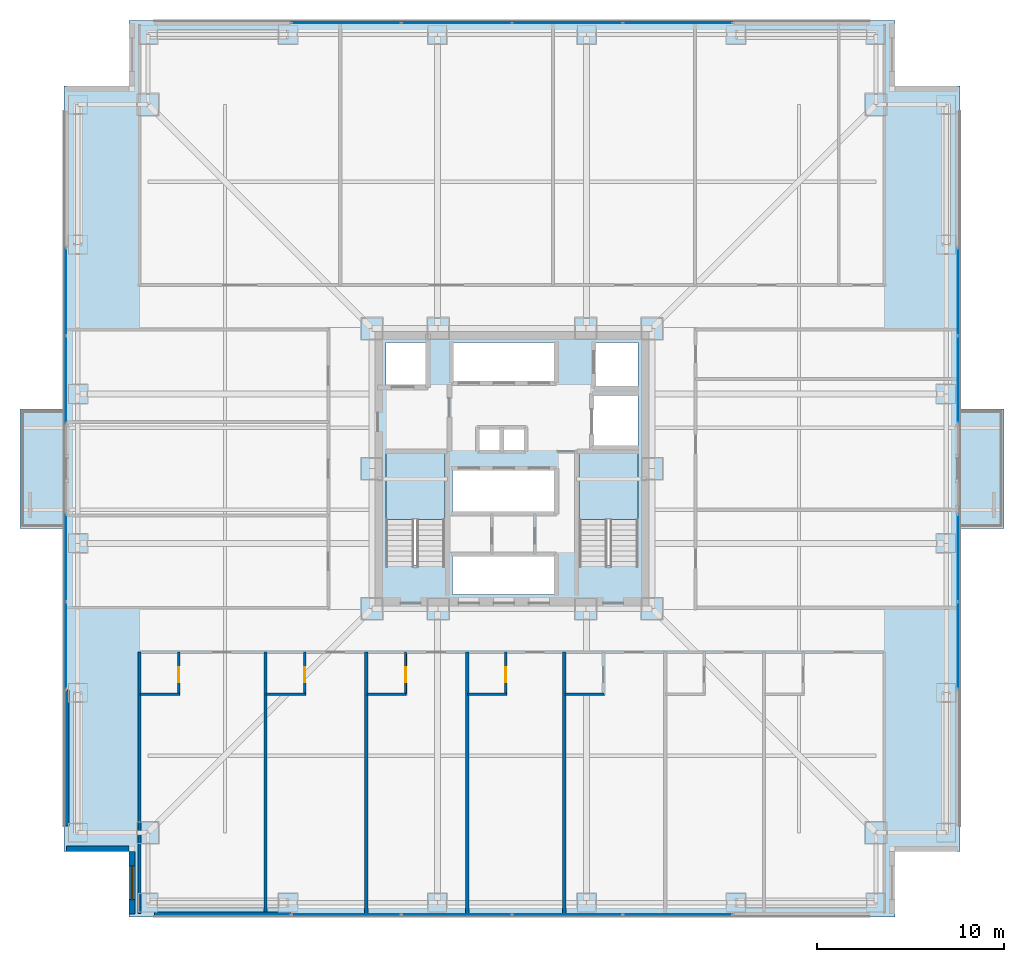
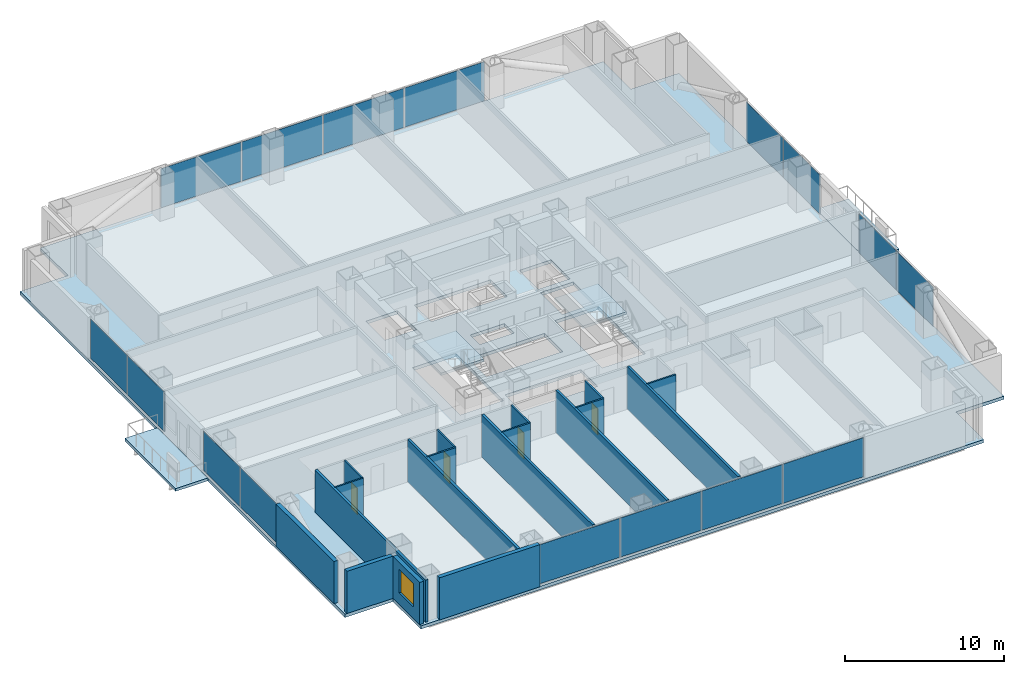
# One storey, part 14 of 20: 18 walls, 16 plates, 5 slabs, 4 doors, 1 window, 5 openings, 8 elements without a shape of their own.
"""IFC4 building model written with IfcOpenShell, lengths in metres."""

import ifcopenshell
import ifcopenshell.guid

model = None  # the IFC model being written
_history = None  # IfcOwnerHistory: only IFC2X3 demands one
_inside = {}  # id of a spatial element -> (the spatial element, [elements in it])
_under = {}  # id of a project, library or spatial element -> (it, [spatial elements below it])
_declared = {}  # id of a project -> (the project, [libraries it declares])
_typed = {}  # id of a type object -> (the type object, [elements of that type])
_made_of = {}  # id of a material, layer set ... -> (it, [elements and type objects made of it])


def new_model(schema):
    """Start an empty IFC model of exactly this schema.

    Asked for "IFC4X3", IfcOpenShell would pick the latest addendum, in which some entities
    have other attributes; the version numbers below select the first issue.
    IFC2X3 requires an IfcOwnerHistory on every rooted entity: one is made here for all.
    """
    global model, _history
    if schema == "IFC4X3":
        model = ifcopenshell.file(schema_version=(4, 3, 0, 0))
    else:
        model = ifcopenshell.file(schema=schema)
    _inside.clear()
    _under.clear()
    _declared.clear()
    _typed.clear()
    _made_of.clear()
    _history = None
    if model.schema == "IFC2X3":
        org = make("IfcOrganization", Name="unknown")
        user = make(
            "IfcPersonAndOrganization",
            ThePerson=make("IfcPerson", FamilyName="unknown"),
            TheOrganization=org,
        )
        app = make(
            "IfcApplication",
            ApplicationDeveloper=org,
            Version="unknown",
            ApplicationFullName="unknown",
            ApplicationIdentifier="unknown",
        )
        _history = make(
            "IfcOwnerHistory",
            OwningUser=user,
            OwningApplication=app,
            ChangeAction="ADDED",
            CreationDate=0,
        )
    return model


def make(cls, **values):
    """One entity of the class cls with the attributes given. An attribute that is None is left unset."""
    return model.create_entity(
        cls, **{name: value for name, value in values.items() if value is not None}
    )


def rooted(cls, **values):
    """An entity with a GlobalId (a new one), such as an element, a storey or a relation."""
    return make(cls, GlobalId=ifcopenshell.guid.new(), OwnerHistory=_history, **values)


def si_unit(unit_type, name, prefix=None):
    """IfcSIUnit, for example si_unit("LENGTHUNIT", "METRE", prefix="MILLI")."""
    return make("IfcSIUnit", UnitType=unit_type, Prefix=prefix, Name=name)


def assignment(units):
    """IfcUnitAssignment: the units of a project."""
    return None if units is None else make("IfcUnitAssignment", Units=units)


def point(xyz):
    """IfcCartesianPoint."""
    return None if xyz is None else make("IfcCartesianPoint", Coordinates=xyz)


def direction(xyz):
    """IfcDirection."""
    return None if xyz is None else make("IfcDirection", DirectionRatios=xyz)


def frame(location, z_axis=None, x_axis=None):
    """IfcAxis2Placement3D, a coordinate frame: its origin and axes. An axis left out is left unset."""
    return make(
        "IfcAxis2Placement3D",
        Location=point(location),
        Axis=direction(z_axis),
        RefDirection=direction(x_axis),
    )


def frame_2d(location, x_axis=None):
    """IfcAxis2Placement2D, a coordinate frame in the plane: its origin and x axis."""
    return make(
        "IfcAxis2Placement2D", Location=point(location), RefDirection=direction(x_axis)
    )


def origin():
    """The frame at (0, 0, 0) with its axes left unset."""
    return frame((0.0, 0.0, 0.0))


def origin_2d():
    """The frame at (0, 0) in the plane with its x axis left unset."""
    return frame_2d((0.0, 0.0))


def place(relative_to, where):
    """IfcLocalPlacement: puts the frame where relative to a parent placement (None: the world)."""
    return make(
        "IfcLocalPlacement", PlacementRelTo=relative_to, RelativePlacement=where
    )


def context(
    kind, dimensions, precision=None, world=None, true_north=None, identifier=None
):
    """IfcGeometricRepresentationContext, for example the 3D "Model" context."""
    return make(
        "IfcGeometricRepresentationContext",
        ContextIdentifier=identifier,
        ContextType=kind,
        CoordinateSpaceDimension=dimensions,
        Precision=precision,
        WorldCoordinateSystem=world,
        TrueNorth=true_north,
    )


def subcontext(parent, identifier, kind, view, scale=None):
    """IfcGeometricRepresentationSubContext, for example "Body" below "Model"."""
    return make(
        "IfcGeometricRepresentationSubContext",
        ContextIdentifier=identifier,
        ContextType=kind,
        ParentContext=parent,
        TargetScale=scale,
        TargetView=view,
    )


def project(units=None, contexts=None):
    """IfcProject with its units and contexts."""
    return rooted(
        "IfcProject",
        Name="project",
        RepresentationContexts=contexts,
        UnitsInContext=assignment(units),
    )


def spatial(cls, under=None, at=None, **own):
    """A site, building, storey or space (cls), placed at a placement, below another one or the project."""
    s = rooted(cls, ObjectPlacement=at, **own)
    if under is not None:
        _under.setdefault(under.id(), (under, []))[1].append(s)
    return s


def polyline(points):
    """IfcPolyline through the points."""
    return make("IfcPolyline", Points=[point(p) for p in points])


def profile(cls, at=None, kind="AREA", **sizes):
    """A parametric profile (cls). Its sizes go by their IFC names, for example OverallWidth=200.0."""
    return make(cls, ProfileType=kind, Position=at, **sizes)


def rectangle(**sizes):
    """IfcRectangleProfileDef."""
    return profile("IfcRectangleProfileDef", **sizes)


def outline(outer, holes=None, kind="AREA"):
    """IfcArbitraryClosedProfileDef: a profile drawn as a closed curve; with holes, ...WithVoids."""
    if holes is None:
        return make("IfcArbitraryClosedProfileDef", ProfileType=kind, OuterCurve=outer)
    return make(
        "IfcArbitraryProfileDefWithVoids",
        ProfileType=kind,
        OuterCurve=outer,
        InnerCurves=holes,
    )


def extrude(swept, where, along, depth):
    """IfcExtrudedAreaSolid: the profile swept, set in the frame where, extruded along a direction by depth."""
    return make(
        "IfcExtrudedAreaSolid",
        SweptArea=swept,
        Position=where,
        ExtrudedDirection=direction(along),
        Depth=depth,
    )


def shape(context_of_items, identifier, shape_type, items):
    """IfcShapeRepresentation: the items that make up one representation, for example the "Body"."""
    return make(
        "IfcShapeRepresentation",
        ContextOfItems=context_of_items,
        RepresentationIdentifier=identifier,
        RepresentationType=shape_type,
        Items=items,
    )


def material(Name=None, Category=None):
    """IfcMaterial."""
    return make("IfcMaterial", Name=Name, Category=Category)


def layer(
    of_material, thickness, ventilated=None, Name=None, Category=None, Priority=None
):
    """IfcMaterialLayer: one layer of a wall or slab, of a material (None: an air gap)."""
    return make(
        "IfcMaterialLayer",
        Material=of_material,
        LayerThickness=thickness,
        IsVentilated=ventilated,
        Name=Name,
        Category=Category,
        Priority=Priority,
    )


def layer_set(layers, Name=None):
    """IfcMaterialLayerSet."""
    return make("IfcMaterialLayerSet", MaterialLayers=layers, LayerSetName=Name)


def made_of(thing, what):
    """Note that an element or type object is made of a material, layer set ...; save() writes the relation."""
    if what is not None:
        _made_of.setdefault(what.id(), (what, []))[1].append(thing)
    return thing


def type_object(cls, material=None, **own):
    """A type object (cls), such as IfcWallType, which elements share."""
    return made_of(rooted(cls, **own), material)


def element(
    cls,
    number,
    at=None,
    inside=None,
    cuts=None,
    type_object=None,
    material=None,
    context=None,
    identifier="Body",
    shape_type=None,
    held_by="IfcProductDefinitionShape",
    body=None,
    shapes=None,
    **own,
):
    """One element of the class cls, such as IfcWall. Its Tag is "e" and its number.

    at: its placement. inside: the storey or other place that contains it. cuts: it is an
    opening in that element (IfcRelVoidsElement). A single representation is given by context,
    identifier, shape_type and body (its items); several are given by shapes. held_by: the class
    of the entity that holds the representations. save() writes the other relations.
    """
    e = rooted(cls, Tag="e%d" % number, ObjectPlacement=at, **own)
    if body is not None:
        shapes = [shape(context, identifier, shape_type, body)]
    if shapes is not None:
        e.Representation = make(held_by, Representations=shapes)
    if inside is not None:
        _inside.setdefault(inside.id(), (inside, []))[1].append(e)
    if cuts is not None:
        rooted(
            "IfcRelVoidsElement", RelatingBuildingElement=cuts, RelatedOpeningElement=e
        )
    if type_object is not None:
        _typed.setdefault(type_object.id(), (type_object, []))[1].append(e)
    return made_of(e, material)


def fill(opening, filler):
    """IfcRelFillsElement: the door or window that sits in an opening."""
    return rooted(
        "IfcRelFillsElement",
        RelatingOpeningElement=opening,
        RelatedBuildingElement=filler,
    )


def aggregate(whole, parts):
    """IfcRelAggregates: a whole, such as a stair, and the parts it consists of."""
    return rooted("IfcRelAggregates", RelatingObject=whole, RelatedObjects=parts)


def save(model, path):
    """Write the relations noted so far, then the file.

    IfcRelAggregates (storeys below a building ...), IfcRelContainedInSpatialStructure (elements
    in a storey), IfcRelDefinesByType, IfcRelAssociatesMaterial and IfcRelDeclares: one each for
    every whole, place, type object, material and project.
    """
    for whole, parts in _under.values():
        aggregate(whole, parts)
    for where, things in _inside.values():
        rooted(
            "IfcRelContainedInSpatialStructure",
            RelatedElements=things,
            RelatingStructure=where,
        )
    for kind, things in _typed.values():
        rooted("IfcRelDefinesByType", RelatedObjects=things, RelatingType=kind)
    for what, things in _made_of.values():
        rooted("IfcRelAssociatesMaterial", RelatedObjects=things, RelatingMaterial=what)
    for by, libraries in _declared.values():
        rooted("IfcRelDeclares", RelatingContext=by, RelatedDefinitions=libraries)
    model.write(path)


model = new_model("IFC4")

# Units and contexts
model_context = context("Model", 3, precision=1e-05, world=origin(), true_north=direction((0.0, 1.0)))
body_context = subcontext(model_context, "Body", "Model", "MODEL_VIEW")
ifc_project = project(units=[si_unit("LENGTHUNIT", "METRE"), si_unit("AREAUNIT", "SQUARE_METRE"), si_unit("VOLUMEUNIT", "CUBIC_METRE"), si_unit("PLANEANGLEUNIT", "RADIAN"), si_unit("MASSUNIT", "GRAM", prefix="KILO")], contexts=[model_context])

# Site, building, storey
site_placement = place(None, origin())
site = spatial("IfcSite", under=ifc_project, at=site_placement, CompositionType="ELEMENT")
building_placement = place(site_placement, origin())
building = spatial("IfcBuilding", under=site, at=building_placement, Name="Trevonay Congress Spire", CompositionType="ELEMENT")
storey_placement = place(building_placement, frame((0.0, 0.0, 76.0)))
storey = spatial("IfcBuildingStorey", under=building, at=storey_placement, Name="L19", CompositionType="ELEMENT", Elevation=76.0)

# Curtain wall, plates
ifc_material_1 = material(Name="Pale Anodised Aluminium EN AW-6063-T6", Category="aluminium")
ifc_layer_1 = layer(ifc_material_1, 0.179931640625, Name="Pale Anodised Aluminium EN AW-6063-T6")
ifc_layer_set_1 = layer_set([ifc_layer_1], Name="Pale Anodised Aluminium EN AW-6063-T6")
curtain_wall_type = type_object("IfcCurtainWallType", Name="CW-SYS02-HOTEL-PALE-METAL", PredefinedType="NOTDEFINED", material=ifc_layer_set_1)
curtain_wall_1_placement = place(storey_placement, origin())
curtain_wall_1 = element("IfcCurtainWall", 1, at=curtain_wall_1_placement, inside=storey, type_object=curtain_wall_type, Name="L19 S unitised curtain wall", PredefinedType="NOTDEFINED")
ifc_material_2 = material(Name="Insulated Low-E Vision Glass IGU", Category="glass")
ifc_layer_2 = layer(ifc_material_2, 0.035888671875, Name="Insulated Low-E Vision Glass IGU")
ifc_layer_set_2 = layer_set([ifc_layer_2], Name="Insulated Low-E Vision Glass IGU")
plate_type = type_object("IfcPlateType", Name="CW-PANEL-IGU36-SILVER", PredefinedType="CURTAIN_PANEL", material=ifc_layer_set_2)
plate_1_placement = place(storey_placement, frame((-8.87255859375, -23.8798828125, 0.1201171875), z_axis=(0.0, 0.0, 1.0), x_axis=(1.0, 0.0, 0.0)))
plate_1 = element("IfcPlate", 2, at=plate_1_placement, type_object=plate_type, Name="CW02 panel 1.1", PredefinedType="CURTAIN_PANEL", context=body_context, shape_type="SweptSolid", body=[
    extrude(rectangle(XDim=5.8349609375, YDim=0.035888671875, at=origin_2d()), origin(), (0.0, 0.0, 1.0), 3.010009765625),
])
plate_2_placement = place(storey_placement, frame((-2.96240234375, -23.8798828125, 0.1201171875), z_axis=(0.0, 0.0, 1.0), x_axis=(1.0, 0.0, 0.0)))
plate_2 = element("IfcPlate", 3, at=plate_2_placement, type_object=plate_type, Name="CW02 panel 2.1", PredefinedType="CURTAIN_PANEL", context=body_context, shape_type="SweptSolid", body=[
    extrude(rectangle(XDim=5.864990234375, YDim=0.035888671875, at=origin_2d()), origin(), (0.0, 0.0, 1.0), 3.010009765625),
])
plate_3_placement = place(storey_placement, frame((2.96240234375, -23.8798828125, 0.1201171875), z_axis=(0.0, 0.0, 1.0), x_axis=(1.0, 0.0, 0.0)))
plate_3 = element("IfcPlate", 4, at=plate_3_placement, type_object=plate_type, Name="CW02 panel 3.1", PredefinedType="CURTAIN_PANEL", context=body_context, shape_type="SweptSolid", body=[
    extrude(rectangle(XDim=5.864990234375, YDim=0.035888671875, at=origin_2d()), origin(), (0.0, 0.0, 1.0), 3.010009765625),
])
plate_4_placement = place(storey_placement, frame((8.87255859375, -23.8798828125, 0.1201171875), z_axis=(0.0, 0.0, 1.0), x_axis=(1.0, 0.0, 0.0)))
plate_4 = element("IfcPlate", 5, at=plate_4_placement, type_object=plate_type, Name="CW02 panel 4.1", PredefinedType="CURTAIN_PANEL", context=body_context, shape_type="SweptSolid", body=[
    extrude(rectangle(XDim=5.8349609375, YDim=0.035888671875, at=origin_2d()), origin(), (0.0, 0.0, 1.0), 3.010009765625),
])
aggregate(curtain_wall_1, [plate_1, plate_2, plate_3, plate_4])

curtain_wall_2_placement = place(storey_placement, origin())
curtain_wall_2 = element("IfcCurtainWall", 6, at=curtain_wall_2_placement, inside=storey, type_object=curtain_wall_type, Name="L19 N unitised curtain wall", PredefinedType="NOTDEFINED")
plate_5_placement = place(storey_placement, frame((-8.87255859375, 23.8798828125, 0.1201171875), z_axis=(0.0, 0.0, 1.0), x_axis=(1.0, 0.0, 0.0)))
plate_5 = element("IfcPlate", 7, at=plate_5_placement, type_object=plate_type, Name="CW02 panel 1.1", PredefinedType="CURTAIN_PANEL", context=body_context, shape_type="SweptSolid", body=[
    extrude(rectangle(XDim=5.8349609375, YDim=0.035888671875, at=origin_2d()), origin(), (0.0, 0.0, 1.0), 3.010009765625),
])
plate_6_placement = place(storey_placement, frame((-2.96240234375, 23.8798828125, 0.1201171875), z_axis=(0.0, 0.0, 1.0), x_axis=(1.0, 0.0, 0.0)))
plate_6 = element("IfcPlate", 8, at=plate_6_placement, type_object=plate_type, Name="CW02 panel 2.1", PredefinedType="CURTAIN_PANEL", context=body_context, shape_type="SweptSolid", body=[
    extrude(rectangle(XDim=5.864990234375, YDim=0.035888671875, at=origin_2d()), origin(), (0.0, 0.0, 1.0), 3.010009765625),
])
plate_7_placement = place(storey_placement, frame((2.96240234375, 23.8798828125, 0.1201171875), z_axis=(0.0, 0.0, 1.0), x_axis=(1.0, 0.0, 0.0)))
plate_7 = element("IfcPlate", 9, at=plate_7_placement, type_object=plate_type, Name="CW02 panel 3.1", PredefinedType="CURTAIN_PANEL", context=body_context, shape_type="SweptSolid", body=[
    extrude(rectangle(XDim=5.864990234375, YDim=0.035888671875, at=origin_2d()), origin(), (0.0, 0.0, 1.0), 3.010009765625),
])
plate_8_placement = place(storey_placement, frame((8.87255859375, 23.8798828125, 0.1201171875), z_axis=(0.0, 0.0, 1.0), x_axis=(1.0, 0.0, 0.0)))
plate_8 = element("IfcPlate", 10, at=plate_8_placement, type_object=plate_type, Name="CW02 panel 4.1", PredefinedType="CURTAIN_PANEL", context=body_context, shape_type="SweptSolid", body=[
    extrude(rectangle(XDim=5.8349609375, YDim=0.035888671875, at=origin_2d()), origin(), (0.0, 0.0, 1.0), 3.010009765625),
])
aggregate(curtain_wall_2, [plate_5, plate_6, plate_7, plate_8])

curtain_wall_3_placement = place(storey_placement, origin())
curtain_wall_3 = element("IfcCurtainWall", 11, at=curtain_wall_3_placement, inside=storey, type_object=curtain_wall_type, Name="L19 WA unitised curtain wall", PredefinedType="NOTDEFINED")
plate_9_placement = place(storey_placement, frame((-23.8798828125, -9.472412109375, 0.1201171875), z_axis=(0.0, 0.0, 1.0), x_axis=(0.0, 1.0, 0.0)))
plate_9 = element("IfcPlate", 12, at=plate_9_placement, type_object=plate_type, Name="CW02 panel 1.1", PredefinedType="CURTAIN_PANEL", context=body_context, shape_type="SweptSolid", body=[
    extrude(rectangle(XDim=4.635009765625, YDim=0.035888671875, at=origin_2d()), origin(), (0.0, 0.0, 1.0), 3.010009765625),
])
plate_10_placement = place(storey_placement, frame((-23.8798828125, -4.777587890625, 0.1201171875), z_axis=(0.0, 0.0, 1.0), x_axis=(0.0, 1.0, 0.0)))
plate_10 = element("IfcPlate", 13, at=plate_10_placement, type_object=plate_type, Name="CW02 panel 2.1", PredefinedType="CURTAIN_PANEL", context=body_context, shape_type="SweptSolid", body=[
    extrude(rectangle(XDim=4.635009765625, YDim=0.035888671875, at=origin_2d()), origin(), (0.0, 0.0, 1.0), 3.010009765625),
])
aggregate(curtain_wall_3, [plate_9, plate_10])

curtain_wall_4_placement = place(storey_placement, origin())
curtain_wall_4 = element("IfcCurtainWall", 14, at=curtain_wall_4_placement, inside=storey, type_object=curtain_wall_type, Name="L19 WB unitised curtain wall", PredefinedType="NOTDEFINED")
plate_11_placement = place(storey_placement, frame((-23.8798828125, 4.777587890625, 0.1201171875), z_axis=(0.0, 0.0, 1.0), x_axis=(0.0, 1.0, 0.0)))
plate_11 = element("IfcPlate", 15, at=plate_11_placement, type_object=plate_type, Name="CW02 panel 1.1", PredefinedType="CURTAIN_PANEL", context=body_context, shape_type="SweptSolid", body=[
    extrude(rectangle(XDim=4.635009765625, YDim=0.035888671875, at=origin_2d()), origin(), (0.0, 0.0, 1.0), 3.010009765625),
])
plate_12_placement = place(storey_placement, frame((-23.8798828125, 9.472412109375, 0.1201171875), z_axis=(0.0, 0.0, 1.0), x_axis=(0.0, 1.0, 0.0)))
plate_12 = element("IfcPlate", 16, at=plate_12_placement, type_object=plate_type, Name="CW02 panel 2.1", PredefinedType="CURTAIN_PANEL", context=body_context, shape_type="SweptSolid", body=[
    extrude(rectangle(XDim=4.635009765625, YDim=0.035888671875, at=origin_2d()), origin(), (0.0, 0.0, 1.0), 3.010009765625),
])
aggregate(curtain_wall_4, [plate_11, plate_12])

curtain_wall_5_placement = place(storey_placement, origin())
curtain_wall_5 = element("IfcCurtainWall", 17, at=curtain_wall_5_placement, inside=storey, type_object=curtain_wall_type, Name="L19 EA unitised curtain wall", PredefinedType="NOTDEFINED")
plate_13_placement = place(storey_placement, frame((23.8798828125, -9.472412109375, 0.1201171875), z_axis=(0.0, 0.0, 1.0), x_axis=(0.0, 1.0, 0.0)))
plate_13 = element("IfcPlate", 18, at=plate_13_placement, type_object=plate_type, Name="CW02 panel 1.1", PredefinedType="CURTAIN_PANEL", context=body_context, shape_type="SweptSolid", body=[
    extrude(rectangle(XDim=4.635009765625, YDim=0.035888671875, at=origin_2d()), origin(), (0.0, 0.0, 1.0), 3.010009765625),
])
plate_14_placement = place(storey_placement, frame((23.8798828125, -4.777587890625, 0.1201171875), z_axis=(0.0, 0.0, 1.0), x_axis=(0.0, 1.0, 0.0)))
plate_14 = element("IfcPlate", 19, at=plate_14_placement, type_object=plate_type, Name="CW02 panel 2.1", PredefinedType="CURTAIN_PANEL", context=body_context, shape_type="SweptSolid", body=[
    extrude(rectangle(XDim=4.635009765625, YDim=0.035888671875, at=origin_2d()), origin(), (0.0, 0.0, 1.0), 3.010009765625),
])
aggregate(curtain_wall_5, [plate_13, plate_14])

curtain_wall_6_placement = place(storey_placement, origin())
curtain_wall_6 = element("IfcCurtainWall", 20, at=curtain_wall_6_placement, inside=storey, type_object=curtain_wall_type, Name="L19 EB unitised curtain wall", PredefinedType="NOTDEFINED")
plate_15_placement = place(storey_placement, frame((23.8798828125, 4.777587890625, 0.1201171875), z_axis=(0.0, 0.0, 1.0), x_axis=(0.0, 1.0, 0.0)))
plate_15 = element("IfcPlate", 21, at=plate_15_placement, type_object=plate_type, Name="CW02 panel 1.1", PredefinedType="CURTAIN_PANEL", context=body_context, shape_type="SweptSolid", body=[
    extrude(rectangle(XDim=4.635009765625, YDim=0.035888671875, at=origin_2d()), origin(), (0.0, 0.0, 1.0), 3.010009765625),
])
plate_16_placement = place(storey_placement, frame((23.8798828125, 9.472412109375, 0.1201171875), z_axis=(0.0, 0.0, 1.0), x_axis=(0.0, 1.0, 0.0)))
plate_16 = element("IfcPlate", 22, at=plate_16_placement, type_object=plate_type, Name="CW02 panel 2.1", PredefinedType="CURTAIN_PANEL", context=body_context, shape_type="SweptSolid", body=[
    extrude(rectangle(XDim=4.635009765625, YDim=0.035888671875, at=origin_2d()), origin(), (0.0, 0.0, 1.0), 3.010009765625),
])
aggregate(curtain_wall_6, [plate_15, plate_16])

# Stair, slab
ifc_material_3 = material(Name="Concrete C40/50", Category="concrete")
stair_type_1 = type_object("IfcStairType", Name="STR-ST-1", PredefinedType="HALF_TURN_STAIR", material=ifc_material_3)
stair_1_placement = place(storey_placement, origin())
stair_1 = element("IfcStair", 23, at=stair_1_placement, inside=storey, type_object=stair_type_1, Name="L19 Protected Exit Stair ST-1", PredefinedType="HALF_TURN_STAIR")
ifc_layer_3 = layer(ifc_material_3, 0.199951171875, Name="Concrete C40/50")
ifc_layer_set_3 = layer_set([ifc_layer_3], Name="Concrete C40/50")
slab_type_1 = type_object("IfcSlabType", Name="SLB-STAIR-LAND-200", PredefinedType="LANDING", material=ifc_layer_set_3)
slab_1_placement = place(storey_placement, frame((0.0, 0.0, 1.550048828125)))
slab_1 = element("IfcSlab", 24, at=slab_1_placement, type_object=slab_type_1, Name="ST-1 landing 1", PredefinedType="LANDING", context=body_context, shape_type="SweptSolid", body=[
    extrude(outline(polyline([(-3.60009765625, -2.72998046875), (-3.60009765625, 0.85009765625), (-6.75, 0.85009765625), (-6.75, -2.72998046875), (-3.60009765625, -2.72998046875)])), origin(), (0.0, 0.0, 1.0), 0.199951171875),
])
aggregate(stair_1, [slab_1])

stair_type_2 = type_object("IfcStairType", Name="STR-ST-2", PredefinedType="HALF_TURN_STAIR", material=ifc_material_3)
stair_2_placement = place(storey_placement, origin())
stair_2 = element("IfcStair", 25, at=stair_2_placement, inside=storey, type_object=stair_type_2, Name="L19 Protected Exit Stair ST-2", PredefinedType="HALF_TURN_STAIR")
slab_2_placement = place(storey_placement, frame((0.0, 0.0, 1.550048828125)))
slab_2 = element("IfcSlab", 26, at=slab_2_placement, type_object=slab_type_1, Name="ST-2 landing 1", PredefinedType="LANDING", context=body_context, shape_type="SweptSolid", body=[
    extrude(outline(polyline([(6.75, -2.72998046875), (6.75, 0.85009765625), (3.60009765625, 0.85009765625), (3.60009765625, -2.72998046875), (6.75, -2.72998046875)])), origin(), (0.0, 0.0, 1.0), 0.199951171875),
])
aggregate(stair_2, [slab_2])

# Slabs
ifc_layer_4 = layer(ifc_material_3, 0.25, Name="Concrete C40/50")
ifc_layer_set_4 = layer_set([ifc_layer_4], Name="Concrete C40/50")
slab_type_2 = type_object("IfcSlabType", Name="SLB-TOW1-250", PredefinedType="FLOOR", material=ifc_layer_set_4)
slab_3_placement = place(storey_placement, frame((0.0, 0.0, -0.25)))
element("IfcSlab", 27, at=slab_3_placement, inside=storey, type_object=slab_type_2, Name="L19 structural floor slab", PredefinedType="FLOOR", context=body_context, shape_type="SweptSolid", body=[
    extrude(outline(polyline([(-20.5, -24.0), (20.5, -24.0), (20.5, -20.5), (24.0, -20.5), (24.0, 20.5), (20.5, 20.5), (20.5, 24.0), (-20.5, 24.0), (-20.5, 20.5), (-24.0, 20.5), (-24.0, -20.5), (-20.5, -20.5), (-20.5, -24.0)]), holes=[polyline([(-3.60009765625, -5.14990234375), (-3.60009765625, 0.85009765625), (-6.75, 0.85009765625), (-6.75, -5.14990234375), (-3.60009765625, -5.14990234375)]), polyline([(6.75, -5.14990234375), (6.75, 0.85009765625), (3.60009765625, 0.85009765625), (3.60009765625, -5.14990234375), (6.75, -5.14990234375)]), polyline([(-3.199951171875, -6.75), (2.340087890625, -6.75), (2.340087890625, -4.64990234375), (-3.199951171875, -4.64990234375), (-3.199951171875, -6.75)]), polyline([(-3.199951171875, -2.35009765625), (2.340087890625, -2.35009765625), (2.340087890625, -0.050048828125), (-3.199951171875, -0.050048828125), (-3.199951171875, -2.35009765625)]), polyline([(-3.199951171875, 4.64990234375), (2.340087890625, 4.64990234375), (2.340087890625, 6.75), (-3.199951171875, 6.75), (-3.199951171875, 4.64990234375)]), polyline([(-6.75, 4.35009765625), (-4.449951171875, 4.35009765625), (-4.449951171875, 6.75), (-6.75, 6.75), (-6.75, 4.35009765625)]), polyline([(4.449951171875, 4.35009765625), (6.75, 4.35009765625), (6.75, 6.75), (4.449951171875, 6.75), (4.449951171875, 4.35009765625)]), polyline([(4.35009765625, 1.199951171875), (6.75, 1.199951171875), (6.75, 3.949951171875), (4.35009765625, 3.949951171875), (4.35009765625, 1.199951171875)]), polyline([(-1.800048828125, 0.949951171875), (0.699951171875, 0.949951171875), (0.699951171875, 2.14990234375), (-1.800048828125, 2.14990234375), (-1.800048828125, 0.949951171875)])]), origin(), (0.0, 0.0, 1.0), 0.25),
])
ifc_layer_5 = layer(ifc_material_3, 0.2099609375, Name="Concrete C40/50")
ifc_layer_set_5 = layer_set([ifc_layer_5], Name="Concrete C40/50")
slab_type_3 = type_object("IfcSlabType", Name="SLB-TREEBAL-210", PredefinedType="FLOOR", material=ifc_layer_set_5)
slab_4_placement = place(storey_placement, frame((0.0, 0.0, -0.2099609375)))
element("IfcSlab", 28, at=slab_4_placement, inside=storey, type_object=slab_type_3, Name="L19 cantilevered tree-planter balcony pod E", PredefinedType="FLOOR", context=body_context, shape_type="SweptSolid", body=[
    extrude(outline(polyline([(24.0, -3.199951171875), (26.35009765625, -3.199951171875), (26.35009765625, 3.199951171875), (24.0, 3.199951171875), (24.0, -3.199951171875)])), origin(), (0.0, 0.0, 1.0), 0.2099609375),
])
slab_5_placement = place(storey_placement, frame((0.0, 0.0, -0.2099609375)))
element("IfcSlab", 29, at=slab_5_placement, inside=storey, type_object=slab_type_3, Name="L19 cantilevered tree-planter balcony pod W", PredefinedType="FLOOR", context=body_context, shape_type="SweptSolid", body=[
    extrude(outline(polyline([(-26.35009765625, -3.199951171875), (-24.0, -3.199951171875), (-24.0, 3.199951171875), (-26.35009765625, 3.199951171875), (-26.35009765625, -3.199951171875)])), origin(), (0.0, 0.0, 1.0), 0.2099609375),
])

# Wall, opening, door
ifc_layer_6 = layer(ifc_material_3, 0.1201171875, Name="Concrete C40/50")
ifc_layer_set_6 = layer_set([ifc_layer_6], Name="Concrete C40/50")
wall_type_1 = type_object("IfcWallType", Name="WAL-BATH-120", PredefinedType="PLUMBINGWALL", material=ifc_layer_set_6)
wall_1_placement = place(storey_placement, frame((-17.85009765625, -12.080078125, 0.0), z_axis=(0.0, 0.0, 1.0), x_axis=(0.0, 1.0, 0.0)))
wall_1 = element("IfcWall", 30, at=wall_1_placement, inside=storey, type_object=wall_type_1, Name="L19 interior wall WH-L19S-BS1", PredefinedType="PLUMBINGWALL", context=body_context, shape_type="SweptSolid", body=[
    extrude(rectangle(XDim=2.25, YDim=0.1201171875, at=frame_2d((1.125, 0.0))), origin(), (0.0, 0.0, 1.0), 3.25),
])
opening_1_placement = place(wall_1_placement, frame((0.64990234375, 0.0, 0.0)))
opening_1 = element("IfcOpeningElement", 31, at=opening_1_placement, cuts=wall_1, Name="Opening D11", PredefinedType="OPENING", context=body_context, shape_type="SweptSolid", body=[
    extrude(rectangle(XDim=0.800048828125, YDim=2.050048828125, at=frame_2d((0.39990234375, 1.02490234375))), frame((0.0, 0.070068359375, 0.0), z_axis=(0.0, -1.0, 0.0), x_axis=(1.0, 0.0, 0.0)), (0.0, 0.0, 1.0), 0.14013671875),
])
door_type = type_object("IfcDoorType", Name="DOR-BATH-80", OperationType="NOTDEFINED", PredefinedType="DOOR", material=ifc_material_1)
door_1_placement = place(opening_1_placement, origin())
door_1 = element("IfcDoor", 32, at=door_1_placement, inside=storey, type_object=door_type, Name="L19 En-suite Bathroom Door", OperationType="SINGLE_SWING_LEFT", OverallHeight=2.050048828125, OverallWidth=0.800048828125, PredefinedType="DOOR", context=body_context, shape_type="SweptSolid", body=[
    extrude(rectangle(XDim=0.800048828125, YDim=2.050048828125, at=frame_2d((0.39990234375, 1.02490234375))), frame((0.0, 0.02490234375, 0.0), z_axis=(0.0, -1.0, 0.0), x_axis=(1.0, 0.0, 0.0)), (0.0, 0.0, 1.0), 0.050048828125),
])
fill(opening_1, door_1)

# Wall
wall_2_placement = place(storey_placement, frame((-19.919921875, -12.080078125, 0.0), z_axis=(0.0, 0.0, 1.0), x_axis=(1.0, 0.0, 0.0)))
element("IfcWall", 33, at=wall_2_placement, inside=storey, type_object=wall_type_1, Name="L19 interior wall WH-L19S-BF1", PredefinedType="PLUMBINGWALL", context=body_context, shape_type="SweptSolid", body=[
    extrude(rectangle(XDim=2.099853515625, YDim=0.1201171875, at=frame_2d((1.0498046875, 0.0))), origin(), (0.0, 0.0, 1.0), 3.25),
])

# Wall, opening, door
wall_3_placement = place(storey_placement, frame((-11.10009765625, -12.080078125, 0.0), z_axis=(0.0, 0.0, 1.0), x_axis=(0.0, 1.0, 0.0)))
wall_3 = element("IfcWall", 34, at=wall_3_placement, inside=storey, type_object=wall_type_1, Name="L19 interior wall WH-L19S-BS2", PredefinedType="PLUMBINGWALL", context=body_context, shape_type="SweptSolid", body=[
    extrude(rectangle(XDim=2.25, YDim=0.1201171875, at=frame_2d((1.125, 0.0))), origin(), (0.0, 0.0, 1.0), 3.25),
])
opening_2_placement = place(wall_3_placement, frame((0.64990234375, 0.0, 0.0)))
opening_2 = element("IfcOpeningElement", 35, at=opening_2_placement, cuts=wall_3, Name="Opening D11", PredefinedType="OPENING", context=body_context, shape_type="SweptSolid", body=[
    extrude(rectangle(XDim=0.800048828125, YDim=2.050048828125, at=frame_2d((0.39990234375, 1.02490234375))), frame((0.0, 0.070068359375, 0.0), z_axis=(0.0, -1.0, 0.0), x_axis=(1.0, 0.0, 0.0)), (0.0, 0.0, 1.0), 0.14013671875),
])
door_2_placement = place(opening_2_placement, origin())
door_2 = element("IfcDoor", 36, at=door_2_placement, inside=storey, type_object=door_type, Name="L19 En-suite Bathroom Door", OperationType="SINGLE_SWING_RIGHT", OverallHeight=2.050048828125, OverallWidth=0.800048828125, PredefinedType="DOOR", context=body_context, shape_type="SweptSolid", body=[
    extrude(rectangle(XDim=0.800048828125, YDim=2.050048828125, at=frame_2d((0.39990234375, 1.02490234375))), frame((0.0, 0.02490234375, 0.0), z_axis=(0.0, -1.0, 0.0), x_axis=(1.0, 0.0, 0.0)), (0.0, 0.0, 1.0), 0.050048828125),
])
fill(opening_2, door_2)

# Wall
wall_4_placement = place(storey_placement, frame((-13.169921875, -12.080078125, 0.0), z_axis=(0.0, 0.0, 1.0), x_axis=(1.0, 0.0, 0.0)))
element("IfcWall", 37, at=wall_4_placement, inside=storey, type_object=wall_type_1, Name="L19 interior wall WH-L19S-BF2", PredefinedType="PLUMBINGWALL", context=body_context, shape_type="SweptSolid", body=[
    extrude(rectangle(XDim=2.099853515625, YDim=0.1201171875, at=frame_2d((1.0498046875, 0.0))), origin(), (0.0, 0.0, 1.0), 3.25),
])

# Wall, opening, door
wall_5_placement = place(storey_placement, frame((-5.699951171875, -12.080078125, 0.0), z_axis=(0.0, 0.0, 1.0), x_axis=(0.0, 1.0, 0.0)))
wall_5 = element("IfcWall", 38, at=wall_5_placement, inside=storey, type_object=wall_type_1, Name="L19 interior wall WH-L19S-BS3", PredefinedType="PLUMBINGWALL", context=body_context, shape_type="SweptSolid", body=[
    extrude(rectangle(XDim=2.25, YDim=0.1201171875, at=frame_2d((1.125, 0.0))), origin(), (0.0, 0.0, 1.0), 3.25),
])
opening_3_placement = place(wall_5_placement, frame((0.64990234375, 0.0, 0.0)))
opening_3 = element("IfcOpeningElement", 39, at=opening_3_placement, cuts=wall_5, Name="Opening D11", PredefinedType="OPENING", context=body_context, shape_type="SweptSolid", body=[
    extrude(rectangle(XDim=0.800048828125, YDim=2.050048828125, at=frame_2d((0.39990234375, 1.02490234375))), frame((0.0, 0.070068359375, 0.0), z_axis=(0.0, -1.0, 0.0), x_axis=(1.0, 0.0, 0.0)), (0.0, 0.0, 1.0), 0.14013671875),
])
door_3_placement = place(opening_3_placement, origin())
door_3 = element("IfcDoor", 40, at=door_3_placement, inside=storey, type_object=door_type, Name="L19 En-suite Bathroom Door", OperationType="SINGLE_SWING_LEFT", OverallHeight=2.050048828125, OverallWidth=0.800048828125, PredefinedType="DOOR", context=body_context, shape_type="SweptSolid", body=[
    extrude(rectangle(XDim=0.800048828125, YDim=2.050048828125, at=frame_2d((0.39990234375, 1.02490234375))), frame((0.0, 0.02490234375, 0.0), z_axis=(0.0, -1.0, 0.0), x_axis=(1.0, 0.0, 0.0)), (0.0, 0.0, 1.0), 0.050048828125),
])
fill(opening_3, door_3)

# Wall
wall_6_placement = place(storey_placement, frame((-7.77001953125, -12.080078125, 0.0), z_axis=(0.0, 0.0, 1.0), x_axis=(1.0, 0.0, 0.0)))
element("IfcWall", 41, at=wall_6_placement, inside=storey, type_object=wall_type_1, Name="L19 interior wall WH-L19S-BF3", PredefinedType="PLUMBINGWALL", context=body_context, shape_type="SweptSolid", body=[
    extrude(rectangle(XDim=2.10009765625, YDim=0.1201171875, at=frame_2d((1.050048828125, 0.0))), origin(), (0.0, 0.0, 1.0), 3.25),
])

# Wall, opening, door
wall_7_placement = place(storey_placement, frame((-0.3349609375, -12.080078125, 0.0), z_axis=(0.0, 0.0, 1.0), x_axis=(0.0, 1.0, 0.0)))
wall_7 = element("IfcWall", 42, at=wall_7_placement, inside=storey, type_object=wall_type_1, Name="L19 interior wall WH-L19S-BS4", PredefinedType="PLUMBINGWALL", context=body_context, shape_type="SweptSolid", body=[
    extrude(rectangle(XDim=2.25, YDim=0.1201171875, at=frame_2d((1.125, 0.0))), origin(), (0.0, 0.0, 1.0), 3.25),
])
opening_4_placement = place(wall_7_placement, frame((0.64990234375, 0.0, 0.0)))
opening_4 = element("IfcOpeningElement", 43, at=opening_4_placement, cuts=wall_7, Name="Opening D11", PredefinedType="OPENING", context=body_context, shape_type="SweptSolid", body=[
    extrude(rectangle(XDim=0.800048828125, YDim=2.050048828125, at=frame_2d((0.39990234375, 1.02490234375))), frame((0.0, 0.070068359375, 0.0), z_axis=(0.0, -1.0, 0.0), x_axis=(1.0, 0.0, 0.0)), (0.0, 0.0, 1.0), 0.14013671875),
])
door_4_placement = place(opening_4_placement, origin())
door_4 = element("IfcDoor", 44, at=door_4_placement, inside=storey, type_object=door_type, Name="L19 En-suite Bathroom Door", OperationType="SINGLE_SWING_RIGHT", OverallHeight=2.050048828125, OverallWidth=0.800048828125, PredefinedType="DOOR", context=body_context, shape_type="SweptSolid", body=[
    extrude(rectangle(XDim=0.800048828125, YDim=2.050048828125, at=frame_2d((0.39990234375, 1.02490234375))), frame((0.0, 0.02490234375, 0.0), z_axis=(0.0, -1.0, 0.0), x_axis=(1.0, 0.0, 0.0)), (0.0, 0.0, 1.0), 0.050048828125),
])
fill(opening_4, door_4)

# Walls
wall_8_placement = place(storey_placement, frame((-2.3701171875, -12.080078125, 0.0), z_axis=(0.0, 0.0, 1.0), x_axis=(1.0, 0.0, 0.0)))
element("IfcWall", 45, at=wall_8_placement, inside=storey, type_object=wall_type_1, Name="L19 interior wall WH-L19S-BF4", PredefinedType="PLUMBINGWALL", context=body_context, shape_type="SweptSolid", body=[
    extrude(rectangle(XDim=2.065185546875, YDim=0.1201171875, at=frame_2d((1.03271484375, 0.0))), origin(), (0.0, 0.0, 1.0), 3.25),
])
wall_9_placement = place(storey_placement, frame((2.830078125, -12.080078125, 0.0), z_axis=(0.0, 0.0, 1.0), x_axis=(1.0, 0.0, 0.0)))
element("IfcWall", 46, at=wall_9_placement, inside=storey, type_object=wall_type_1, Name="L19 interior wall WH-L19S-BF5", PredefinedType="PLUMBINGWALL", context=body_context, shape_type="SweptSolid", body=[
    extrude(rectangle(XDim=2.099853515625, YDim=0.1201171875, at=frame_2d((1.0498046875, 0.0))), origin(), (0.0, 0.0, 1.0), 3.25),
])
ifc_material_4 = material(Name="Precast concrete C40/50", Category="concrete")
ifc_layer_7 = layer(ifc_material_4, 0.300048828125, Name="Precast concrete C40/50")
ifc_layer_set_7 = layer_set([ifc_layer_7], Name="Precast concrete C40/50")
wall_type_2 = type_object("IfcWallType", Name="WAL-EXT-PRECAST-300", PredefinedType="SOLIDWALL", material=ifc_layer_set_7)
for number, where, z_axis, x_axis, name in (
    (47, (-19.14990234375, -23.8798828125, 0.0), (0.0, 0.0, 1.0), (1.0, 0.0, 0.0), "L19 SL braced-bay exterior pier wall"),
    (48, (-23.8798828125, -19.14990234375, 0.0), (0.0, 0.0, 1.0), (0.0, 1.0, 0.0), "L19 WL braced-bay exterior pier wall"),
):
    element("IfcWall", number, at=place(storey_placement, frame(where, z_axis=z_axis, x_axis=x_axis)), inside=storey, type_object=wall_type_2, Name=name, PredefinedType="SOLIDWALL", context=body_context, shape_type="SweptSolid", body=[
        extrude(rectangle(XDim=7.2998046875, YDim=0.300048828125, at=frame_2d((3.64990234375, 0.0))), origin(), (0.0, 0.0, 1.0), 3.25),
    ])

# Wall, opening, window
wall_10_placement = place(storey_placement, frame((-20.35009765625, -23.85009765625, 0.0), z_axis=(0.0, 0.0, 1.0), x_axis=(0.0, 1.0, 0.0)))
wall_10 = element("IfcWall", 49, at=wall_10_placement, inside=storey, type_object=wall_type_2, Name="L19 SW re-entrant notch exterior wall 1", PredefinedType="SOLIDWALL", context=body_context, shape_type="SweptSolid", body=[
    extrude(rectangle(XDim=3.35009765625, YDim=0.300048828125, at=frame_2d((1.675048828125, 0.0))), origin(), (0.0, 0.0, 1.0), 3.25),
])
opening_5_placement = place(wall_10_placement, frame((0.77490234375, 0.0, 0.89990234375)))
opening_5 = element("IfcOpeningElement", 50, at=opening_5_placement, cuts=wall_10, Name="Opening WN01", PredefinedType="OPENING", context=body_context, shape_type="SweptSolid", body=[
    extrude(rectangle(XDim=1.800048828125, YDim=1.800048828125, at=frame_2d((0.89990234375, 0.89990234375))), frame((0.0, 0.16015625, 0.0), z_axis=(0.0, -1.0, 0.0), x_axis=(1.0, 0.0, 0.0)), (0.0, 0.0, 1.0), 0.320068359375),
])
window_type = type_object("IfcWindowType", Name="WIN-HOTEL-180X180", PartitioningType="SINGLE_PANEL", PredefinedType="WINDOW", material=ifc_material_2)
window_placement = place(opening_5_placement, origin())
window = element("IfcWindow", 51, at=window_placement, inside=storey, type_object=window_type, Name="L19 SW corner notch window", OverallHeight=1.800048828125, OverallWidth=1.800048828125, PartitioningType="SINGLE_PANEL", PredefinedType="WINDOW", context=body_context, shape_type="SweptSolid", body=[
    extrude(rectangle(XDim=1.800048828125, YDim=1.800048828125, at=frame_2d((0.89990234375, 0.89990234375))), frame((0.0, 0.030029296875, 0.0), z_axis=(0.0, -1.0, 0.0), x_axis=(1.0, 0.0, 0.0)), (0.0, 0.0, 1.0), 0.06005859375),
])
fill(opening_5, window)

# Walls
wall_11_placement = place(storey_placement, frame((-23.85009765625, -20.35009765625, 0.0), z_axis=(0.0, 0.0, 1.0), x_axis=(1.0, 0.0, 0.0)))
element("IfcWall", 52, at=wall_11_placement, inside=storey, type_object=wall_type_2, Name="L19 SW re-entrant notch exterior wall 2", PredefinedType="SOLIDWALL", context=body_context, shape_type="SweptSolid", body=[
    extrude(rectangle(XDim=3.35009765625, YDim=0.300048828125, at=frame_2d((1.675048828125, 0.0))), origin(), (0.0, 0.0, 1.0), 3.25),
])
ifc_layer_8 = layer(ifc_material_3, 0.179931640625, Name="Concrete C40/50")
ifc_layer_set_8 = layer_set([ifc_layer_8], Name="Concrete C40/50")
wall_type_3 = type_object("IfcWallType", Name="WAL-HOTEL-180", PredefinedType="PARTITIONING", material=ifc_layer_set_8)
for number, where, z_axis, x_axis, name in (
    (53, (-19.949951171875, -23.820068359375, 0.0), (0.0, 0.0, 1.0), (0.0, 1.0, 0.0), "L19 interior wall WH-L19S-DIV1"),
    (54, (-13.199951171875, -23.820068359375, 0.0), (0.0, 0.0, 1.0), (0.0, 1.0, 0.0), "L19 interior wall WH-L19S-DIV2"),
    (55, (-7.800048828125, -23.820068359375, 0.0), (0.0, 0.0, 1.0), (0.0, 1.0, 0.0), "L19 interior wall WH-L19S-DIV3"),
    (56, (-2.39990234375, -23.820068359375, 0.0), (0.0, 0.0, 1.0), (0.0, 1.0, 0.0), "L19 interior wall WH-L19S-DIV4"),
    (57, (2.800048828125, -23.820068359375, 0.0), (0.0, 0.0, 1.0), (0.0, 1.0, 0.0), "L19 interior wall WH-L19S-DIV5"),
):
    element("IfcWall", number, at=place(storey_placement, frame(where, z_axis=z_axis, x_axis=x_axis)), inside=storey, type_object=wall_type_3, Name=name, PredefinedType="PARTITIONING", context=body_context, shape_type="SweptSolid", body=[
        extrude(rectangle(XDim=13.989990234375, YDim=0.179931640625, at=frame_2d((6.9951171875, 0.0))), origin(), (0.0, 0.0, 1.0), 3.25),
    ])

save(model, "model.ifc")
